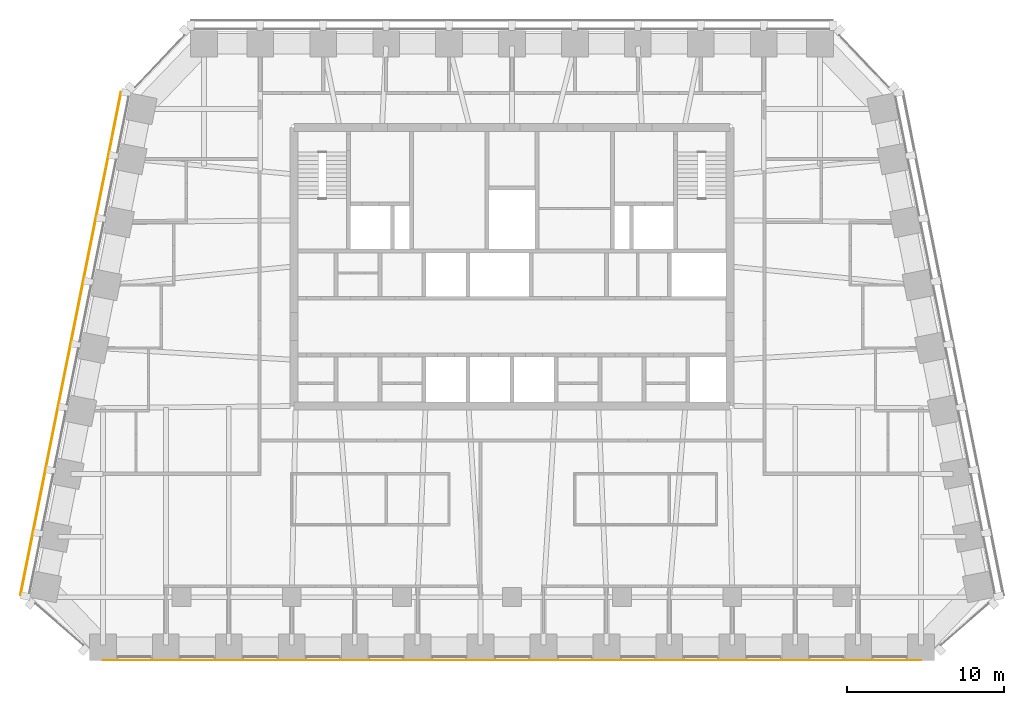
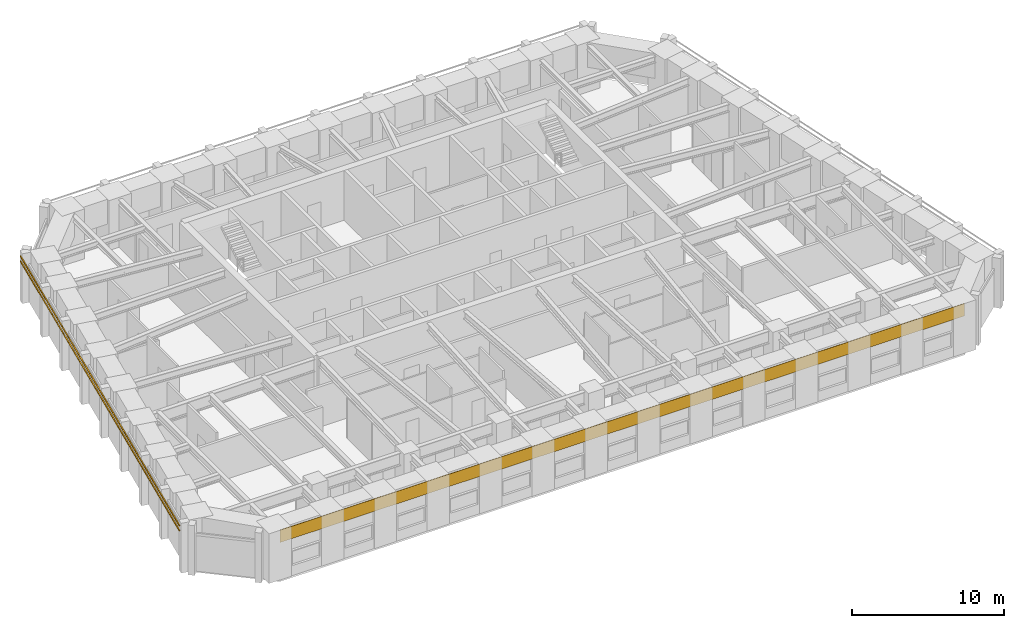
# One storey, part 9 of 11: 2 shading devices, 1 covering.
"""IFC4 building model written with IfcOpenShell, lengths in metres."""

from ifc_helpers import new_model, si_unit, direction, frame, origin, origin_2d, place, context, subcontext, project, spatial, rectangle, extrude, material, layer, layer_set, material_profile, profile_set, type_object, element, save


model = new_model("IFC4")

# Units and contexts
model_context = context("Model", 3, precision=1e-05, world=origin(), true_north=direction((0.0, 1.0)))
body_context = subcontext(model_context, "Body", "Model", "MODEL_VIEW")
ifc_project = project(units=[si_unit("LENGTHUNIT", "METRE"), si_unit("AREAUNIT", "SQUARE_METRE"), si_unit("VOLUMEUNIT", "CUBIC_METRE"), si_unit("PLANEANGLEUNIT", "RADIAN"), si_unit("MASSUNIT", "GRAM", prefix="KILO")], contexts=[model_context])

# Site, building, storey
site_placement = place(None, origin())
site = spatial("IfcSite", under=ifc_project, at=site_placement, CompositionType="ELEMENT")
building_placement = place(site_placement, origin())
building = spatial("IfcBuilding", under=site, at=building_placement, Name="Isbrekke Arena Tower", CompositionType="ELEMENT")
storey_placement = place(building_placement, frame((0.0, 0.0, 276.0)))
storey = spatial("IfcBuildingStorey", under=building, at=storey_placement, Name="L64", CompositionType="ELEMENT", Elevation=276.0)

# Shading devices
ifc_material_1 = material(Name="Terracotta", Category="masonry")
ifc_material_profile = material_profile(ifc_material_1, rectangle(XDim=0.06005859375, YDim=0.06005859375, at=origin_2d()), Name="BAGUETTE 60X60")
ifc_profile_set = profile_set([ifc_material_profile], Name="Terracotta")
shading_device_type = type_object("IfcShadingDeviceType", Name="BG1 TERRACOTTA BAGUETTE 60 x 60", PredefinedType="USERDEFINED", material=ifc_profile_set)
for number, where, z_axis, x_axis, name in (
    (1, (-24.84228515625, 26.12841796875, 3.280029296875), (-0.196113257737, -0.980581251167, 0.0), (0.980581251167, -0.196113257737, 0.0), "BG1 terracotta baguette W1 L64"),
    (2, (-24.84228515625, 26.12841796875, 3.679931640625), (-0.196113257737, -0.980581251167, 0.0), (0.980581251167, -0.196113257737, 0.0), "BG1 terracotta baguette W2 L64"),
):
    element("IfcShadingDevice", number, at=place(storey_placement, frame(where, z_axis=z_axis, x_axis=x_axis)), inside=storey, type_object=shading_device_type, Name=name, ObjectType="TERRACOTTA BAGUETTE", PredefinedType="USERDEFINED", context=body_context, shape_type="SweptSolid", body=[
        extrude(rectangle(XDim=0.06005859375, YDim=0.06005859375, at=origin_2d()), origin(), (0.0, 0.0, 1.0), 32.6337890625),
    ])

# Covering
ifc_material_2 = material(Name="Pre-patinated copper sheet", Category="metal")
ifc_layer = layer(ifc_material_2, 0.02001953125)
ifc_layer_set = layer_set([ifc_layer], Name="CL1 COPPER CLADDING")
covering_type = type_object("IfcCoveringType", Name="CL1 COPPER CLADDING", PredefinedType="CLADDING", material=ifc_layer_set)
covering_placement = place(storey_placement, frame((0.0, -10.010009765625, 3.0), z_axis=(0.0, 0.0, 1.0), x_axis=(1.0, 0.0, 0.0)))
element("IfcCovering", 3, at=covering_placement, inside=storey, type_object=covering_type, Name="CL1 copper cladding L64", PredefinedType="CLADDING", context=body_context, shape_type="SweptSolid", body=[
    extrude(rectangle(XDim=52.0, YDim=0.02001953125, at=origin_2d()), origin(), (0.0, 0.0, 1.0), 1.0),
])

save(model, "model.ifc")
